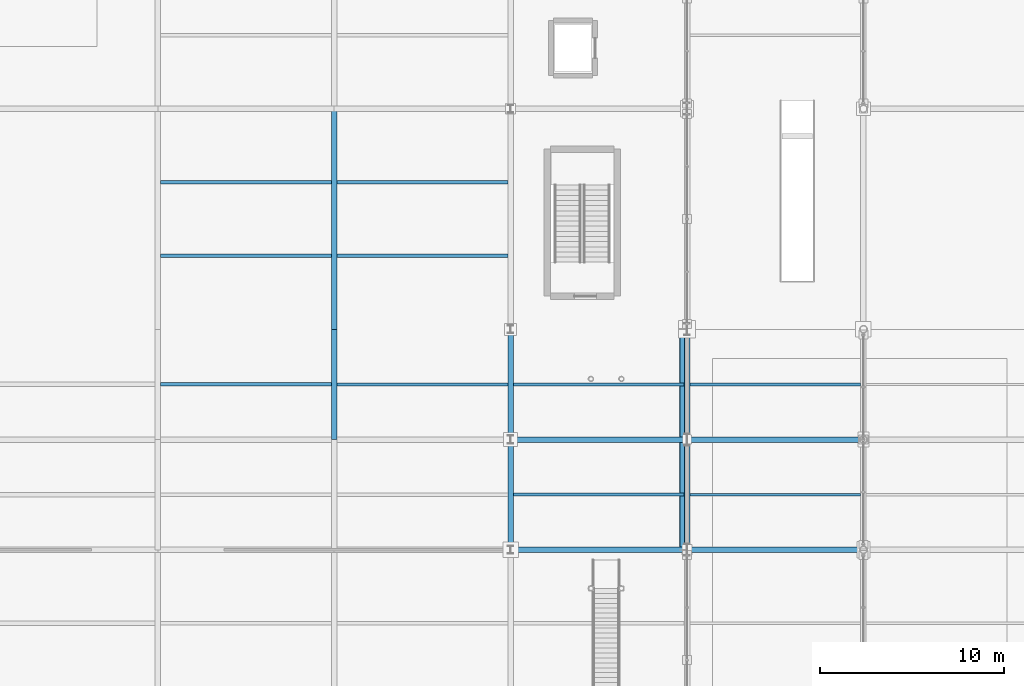
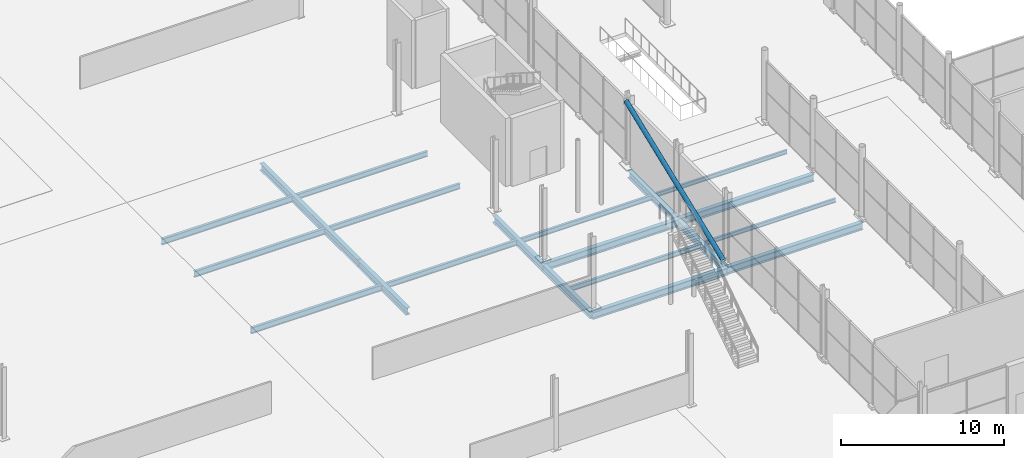
# One storey, part 55 of 196: 20 beams, 1 member.
"""IFC4 building model written with IfcOpenShell, lengths in metres."""

from ifc_helpers import new_model, si_unit, direction, frame, origin, origin_2d, place, context, subcontext, project, spatial, hollow_circle, i_section, extrude, material, material_profile, profile_set, type_object, element, save


model = new_model("IFC4")

# Units and contexts
model_context = context("Model", 3, precision=1e-05, world=origin(), true_north=direction((0.0, 1.0)))
body_context = subcontext(model_context, "Body", "Model", "MODEL_VIEW")
ifc_project = project(units=[si_unit("LENGTHUNIT", "METRE"), si_unit("AREAUNIT", "SQUARE_METRE"), si_unit("VOLUMEUNIT", "CUBIC_METRE"), si_unit("PLANEANGLEUNIT", "RADIAN"), si_unit("MASSUNIT", "GRAM", prefix="KILO")], contexts=[model_context])

# Site, building, storey
site_placement = place(None, origin())
site = spatial("IfcSite", under=ifc_project, at=site_placement, CompositionType="ELEMENT")
building_placement = place(site_placement, origin())
building = spatial("IfcBuilding", under=site, at=building_placement, Name="Merenkruunu Market Hall", CompositionType="ELEMENT")
storey_placement = place(building_placement, origin())
storey = spatial("IfcBuildingStorey", under=building, at=storey_placement, Name="L00", CompositionType="ELEMENT", Elevation=0.0)

# Member
ifc_material_1 = material(Name="Steel S355ML", Category="steel")
ifc_material_profile_1 = material_profile(ifc_material_1, hollow_circle(Radius=0.161865234375, WallThickness=0.01611328125, at=origin_2d()), Name="CHS 323.9x16")
ifc_profile_set_1 = profile_set([ifc_material_profile_1], Name="Steel S355ML")
member_type = type_object("IfcMemberType", Name="Diagonal Sway Brace BR01", PredefinedType="BRACE", material=ifc_profile_set_1)
member_placement = place(storey_placement, frame((57.360107421875, 39.60009765625, 0.199951171875), z_axis=(0.0, 0.931129537334, 0.364688613347), x_axis=(-1.0, 0.0, 0.0)))
element("IfcMember", 1, at=member_placement, inside=storey, type_object=member_type, Name="MEM-CBF05", PredefinedType="BRACE", context=body_context, shape_type="SweptSolid", body=[
    extrude(hollow_circle(Radius=0.161865234375, WallThickness=0.01611328125, at=origin_2d()), origin(), (0.0, 0.0, 1.0), 12.887451171875),
])

# Beams
ifc_material_2 = material(Name="Steel S355J2", Category="steel")
ifc_material_profile_2 = material_profile(ifc_material_2, i_section(OverallWidth=0.300048828125, OverallDepth=0.550048828125, WebThickness=0.014892578125, FlangeThickness=0.029052734375, FilletRadius=0.027099609375, at=origin_2d()), Name="HEB 550")
ifc_profile_set_2 = profile_set([ifc_material_profile_2], Name="Steel S355J2")
beam_type_1 = type_object("IfcBeamType", Name="Primary Floor Girder B02", PredefinedType="BEAM", material=ifc_profile_set_2)
beam_1_placement = place(storey_placement, frame((48.0, 39.60009765625, -0.614990234375), z_axis=(1.0, 0.0, 0.0), x_axis=(0.0, 1.0, 0.0)))
element("IfcBeam", 2, at=beam_1_placement, inside=storey, type_object=beam_type_1, Name="BM-L00-B02-0050", PredefinedType="BEAM", context=body_context, shape_type="SweptSolid", body=[
    extrude(i_section(OverallWidth=0.300048828125, OverallDepth=0.550048828125, WebThickness=0.014892578125, FlangeThickness=0.029052734375, FilletRadius=0.027099609375, at=origin_2d()), origin(), (0.0, 0.0, 1.0), 9.60009765625),
])
beam_2_placement = place(storey_placement, frame((57.60009765625, 39.60009765625, -0.574951171875), z_axis=(1.0, 0.0, 0.0), x_axis=(0.0, 1.0, 0.0)))
element("IfcBeam", 3, at=beam_2_placement, inside=storey, type_object=beam_type_1, Name="BM-L00-B02-0051", PredefinedType="BEAM", context=body_context, shape_type="SweptSolid", body=[
    extrude(i_section(OverallWidth=0.300048828125, OverallDepth=0.550048828125, WebThickness=0.014892578125, FlangeThickness=0.029052734375, FilletRadius=0.027099609375, at=origin_2d()), origin(), (0.0, 0.0, 1.0), 9.599853515625),
])
beam_3_placement = place(storey_placement, frame((48.0, 45.60009765625, -0.614990234375), z_axis=(1.0, 0.0, 0.0), x_axis=(0.0, 1.0, 0.0)))
element("IfcBeam", 4, at=beam_3_placement, inside=storey, type_object=beam_type_1, Name="BM-L00-B02-0068", PredefinedType="BEAM", context=body_context, shape_type="SweptSolid", body=[
    extrude(i_section(OverallWidth=0.300048828125, OverallDepth=0.550048828125, WebThickness=0.014892578125, FlangeThickness=0.029052734375, FilletRadius=0.027099609375, at=origin_2d()), origin(), (0.0, 0.0, 1.0), 9.60009765625),
])
beam_4_placement = place(storey_placement, frame((57.60009765625, 45.60009765625, -0.574951171875), z_axis=(1.0, 0.0, 0.0), x_axis=(0.0, 1.0, 0.0)))
element("IfcBeam", 5, at=beam_4_placement, inside=storey, type_object=beam_type_1, Name="BM-L00-B02-0069", PredefinedType="BEAM", context=body_context, shape_type="SweptSolid", body=[
    extrude(i_section(OverallWidth=0.300048828125, OverallDepth=0.550048828125, WebThickness=0.014892578125, FlangeThickness=0.029052734375, FilletRadius=0.027099609375, at=origin_2d()), origin(), (0.0, 0.0, 1.0), 9.599853515625),
])
ifc_material_profile_3 = material_profile(ifc_material_2, i_section(OverallWidth=0.300048828125, OverallDepth=0.5400390625, WebThickness=0.012451171875, FlangeThickness=0.02392578125, FilletRadius=0.027099609375, at=origin_2d()), Name="HEA 550")
ifc_profile_set_3 = profile_set([ifc_material_profile_3], Name="Steel S355J2")
beam_type_2 = type_object("IfcBeamType", Name="Primary Floor Girder B06", PredefinedType="BEAM", material=ifc_profile_set_3)
beam_5_placement = place(storey_placement, frame((38.39990234375, 45.60009765625, -0.610107421875), z_axis=(0.0, 1.0, 0.0), x_axis=(-1.0, 0.0, 0.0)))
element("IfcBeam", 6, at=beam_5_placement, inside=storey, type_object=beam_type_2, Name="BM-L00-B06-0170", PredefinedType="BEAM", context=body_context, shape_type="SweptSolid", body=[
    extrude(i_section(OverallWidth=0.300048828125, OverallDepth=0.5400390625, WebThickness=0.012451171875, FlangeThickness=0.02392578125, FilletRadius=0.027099609375, at=origin_2d()), origin(), (0.0, 0.0, 1.0), 6.0),
])
beam_6_placement = place(storey_placement, frame((38.39990234375, 51.60009765625, -0.610107421875), z_axis=(0.0, 1.0, 0.0), x_axis=(-1.0, 0.0, 0.0)))
element("IfcBeam", 7, at=beam_6_placement, inside=storey, type_object=beam_type_2, Name="BM-L00-B06-0171", PredefinedType="BEAM", context=body_context, shape_type="SweptSolid", body=[
    extrude(i_section(OverallWidth=0.300048828125, OverallDepth=0.5400390625, WebThickness=0.012451171875, FlangeThickness=0.02392578125, FilletRadius=0.027099609375, at=origin_2d()), origin(), (0.0, 0.0, 1.0), 12.0),
])
for number, where, z_axis, x_axis, name in (
    (8, (48.0, 39.60009765625, -0.610107421875), (0.0, 1.0, 0.0), (-1.0, 0.0, 0.0), "BM-L00-B06-0178"),
    (9, (48.0, 45.60009765625, -0.610107421875), (0.0, 1.0, 0.0), (-1.0, 0.0, 0.0), "BM-L00-B06-0179"),
    (10, (57.60009765625, 39.60009765625, -0.610107421875), (0.0, 1.0, 0.0), (-1.0, 0.0, 0.0), "BM-L00-B06-0187"),
    (11, (57.60009765625, 45.60009765625, -0.610107421875), (0.0, 1.0, 0.0), (-1.0, 0.0, 0.0), "BM-L00-B06-0188"),
):
    element("IfcBeam", number, at=place(storey_placement, frame(where, z_axis=z_axis, x_axis=x_axis)), inside=storey, type_object=beam_type_2, Name=name, PredefinedType="BEAM", context=body_context, shape_type="SweptSolid", body=[
        extrude(i_section(OverallWidth=0.300048828125, OverallDepth=0.5400390625, WebThickness=0.012451171875, FlangeThickness=0.02392578125, FilletRadius=0.027099609375, at=origin_2d()), origin(), (0.0, 0.0, 1.0), 6.0),
    ])
ifc_material_profile_4 = material_profile(ifc_material_2, i_section(OverallWidth=0.18994140625, OverallDepth=0.449951171875, WebThickness=0.009521484375, FlangeThickness=0.0146484375, FilletRadius=0.02099609375, at=origin_2d()), Name="IPE 450")
ifc_profile_set_4 = profile_set([ifc_material_profile_4], Name="Steel S355J2")
beam_type_3 = type_object("IfcBeamType", Name="Secondary Floor Joist J01", PredefinedType="JOIST", material=ifc_profile_set_4)
for number, where, z_axis, x_axis, name in (
    (12, (28.952880859375, 48.60009765625, -0.56494140625), (1.0, 0.0, 0.0), (0.0, 1.0, 0.0), "BM-L00-J01-0307"),
    (13, (28.952880859375, 55.60009765625, -0.56494140625), (1.0, 0.0, 0.0), (0.0, 1.0, 0.0), "BM-L00-J01-0308"),
    (14, (28.952880859375, 59.60009765625, -0.56494140625), (1.0, 0.0, 0.0), (0.0, 1.0, 0.0), "BM-L00-J01-0309"),
):
    element("IfcBeam", number, at=place(storey_placement, frame(where, z_axis=z_axis, x_axis=x_axis)), inside=storey, type_object=beam_type_3, Name=name, PredefinedType="JOIST", context=body_context, shape_type="SweptSolid", body=[
        extrude(i_section(OverallWidth=0.18994140625, OverallDepth=0.449951171875, WebThickness=0.009521484375, FlangeThickness=0.0146484375, FilletRadius=0.02099609375, at=origin_2d()), origin(), (0.0, 0.0, 1.0), 9.294189453125),
    ])
ifc_material_profile_5 = material_profile(ifc_material_2, i_section(OverallWidth=0.179931640625, OverallDepth=0.39990234375, WebThickness=0.008544921875, FlangeThickness=0.013427734375, FilletRadius=0.02099609375, at=origin_2d()), Name="IPE 400")
ifc_profile_set_5 = profile_set([ifc_material_profile_5], Name="Steel S355J2")
beam_type_4 = type_object("IfcBeamType", Name="Secondary Floor Joist J02", PredefinedType="JOIST", material=ifc_profile_set_5)
for number, where, z_axis, x_axis, name in (
    (15, (38.552978515625, 48.60009765625, -0.5400390625), (1.0, 0.0, 0.0), (0.0, 1.0, 0.0), "BM-L00-J02-0322"),
    (16, (38.552978515625, 55.60009765625, -0.5400390625), (1.0, 0.0, 0.0), (0.0, 1.0, 0.0), "BM-L00-J02-0323"),
    (17, (38.552978515625, 59.60009765625, -0.5400390625), (1.0, 0.0, 0.0), (0.0, 1.0, 0.0), "BM-L00-J02-0324"),
):
    element("IfcBeam", number, at=place(storey_placement, frame(where, z_axis=z_axis, x_axis=x_axis)), inside=storey, type_object=beam_type_4, Name=name, PredefinedType="JOIST", context=body_context, shape_type="SweptSolid", body=[
        extrude(i_section(OverallWidth=0.179931640625, OverallDepth=0.39990234375, WebThickness=0.008544921875, FlangeThickness=0.013427734375, FilletRadius=0.02099609375, at=origin_2d()), origin(), (0.0, 0.0, 1.0), 9.2939453125),
    ])
ifc_material_profile_6 = material_profile(ifc_material_2, i_section(OverallWidth=0.169921875, OverallDepth=0.360107421875, WebThickness=0.008056640625, FlangeThickness=0.0126953125, FilletRadius=0.01806640625, at=origin_2d()), Name="IPE 360")
ifc_profile_set_6 = profile_set([ifc_material_profile_6], Name="Steel S355J2")
beam_type_5 = type_object("IfcBeamType", Name="Secondary Floor Joist J03", PredefinedType="JOIST", material=ifc_profile_set_6)
for number, where, z_axis, x_axis, name in (
    (18, (48.153076171875, 42.60009765625, -0.52001953125), (1.0, 0.0, 0.0), (0.0, 1.0, 0.0), "BM-L00-J03-0337"),
    (19, (48.153076171875, 48.60009765625, -0.52001953125), (1.0, 0.0, 0.0), (0.0, 1.0, 0.0), "BM-L00-J03-0338"),
):
    element("IfcBeam", number, at=place(storey_placement, frame(where, z_axis=z_axis, x_axis=x_axis)), inside=storey, type_object=beam_type_5, Name=name, PredefinedType="JOIST", context=body_context, shape_type="SweptSolid", body=[
        extrude(i_section(OverallWidth=0.169921875, OverallDepth=0.360107421875, WebThickness=0.008056640625, FlangeThickness=0.0126953125, FilletRadius=0.01806640625, at=origin_2d()), origin(), (0.0, 0.0, 1.0), 9.2939453125),
    ])
ifc_material_profile_7 = material_profile(ifc_material_2, i_section(OverallWidth=0.14990234375, OverallDepth=0.300048828125, WebThickness=0.007080078125, FlangeThickness=0.0107421875, FilletRadius=0.014892578125, at=origin_2d()), Name="IPE 300")
ifc_profile_set_7 = profile_set([ifc_material_profile_7], Name="Steel S355J2")
beam_type_6 = type_object("IfcBeamType", Name="Secondary Floor Joist J04", PredefinedType="JOIST", material=ifc_profile_set_7)
for number, where, z_axis, x_axis, name in (
    (20, (57.7529296875, 42.60009765625, -0.449951171875), (1.0, 0.0, 0.0), (0.0, 1.0, 0.0), "BM-L00-J04-0350"),
    (21, (57.7529296875, 48.60009765625, -0.449951171875), (1.0, 0.0, 0.0), (0.0, 1.0, 0.0), "BM-L00-J04-0351"),
):
    element("IfcBeam", number, at=place(storey_placement, frame(where, z_axis=z_axis, x_axis=x_axis)), inside=storey, type_object=beam_type_6, Name=name, PredefinedType="JOIST", context=body_context, shape_type="SweptSolid", body=[
        extrude(i_section(OverallWidth=0.14990234375, OverallDepth=0.300048828125, WebThickness=0.007080078125, FlangeThickness=0.0107421875, FilletRadius=0.014892578125, at=origin_2d()), origin(), (0.0, 0.0, 1.0), 9.294189453125),
    ])

save(model, "model.ifc")
